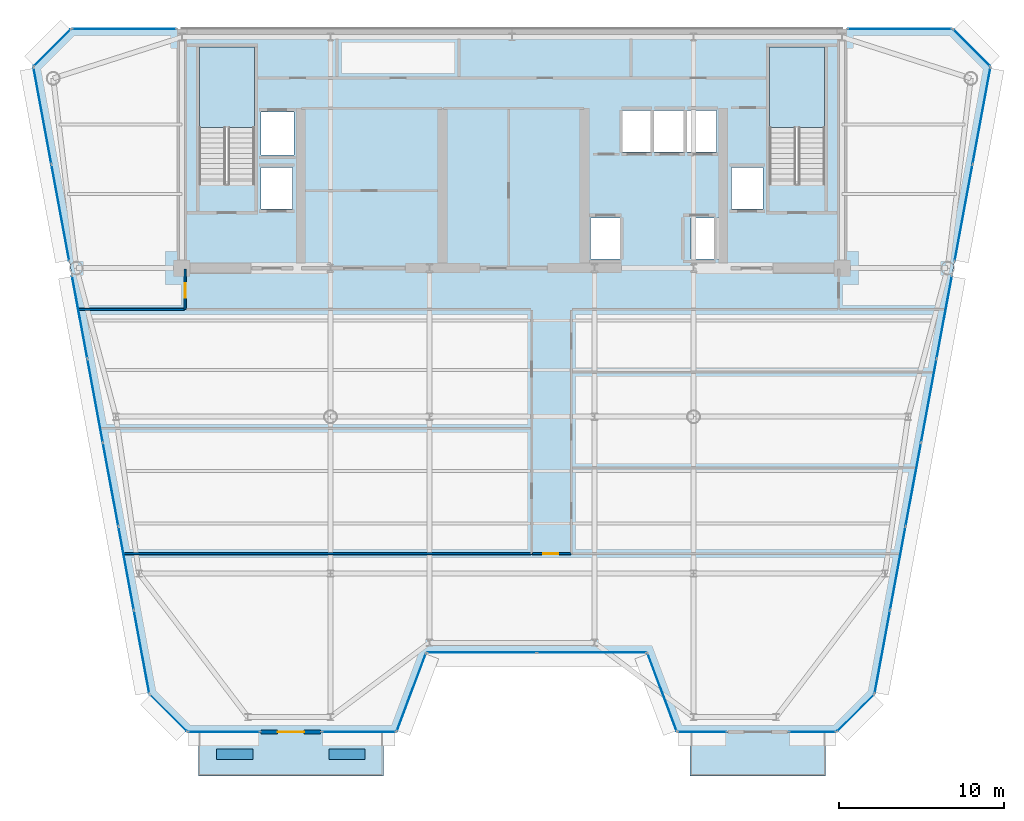
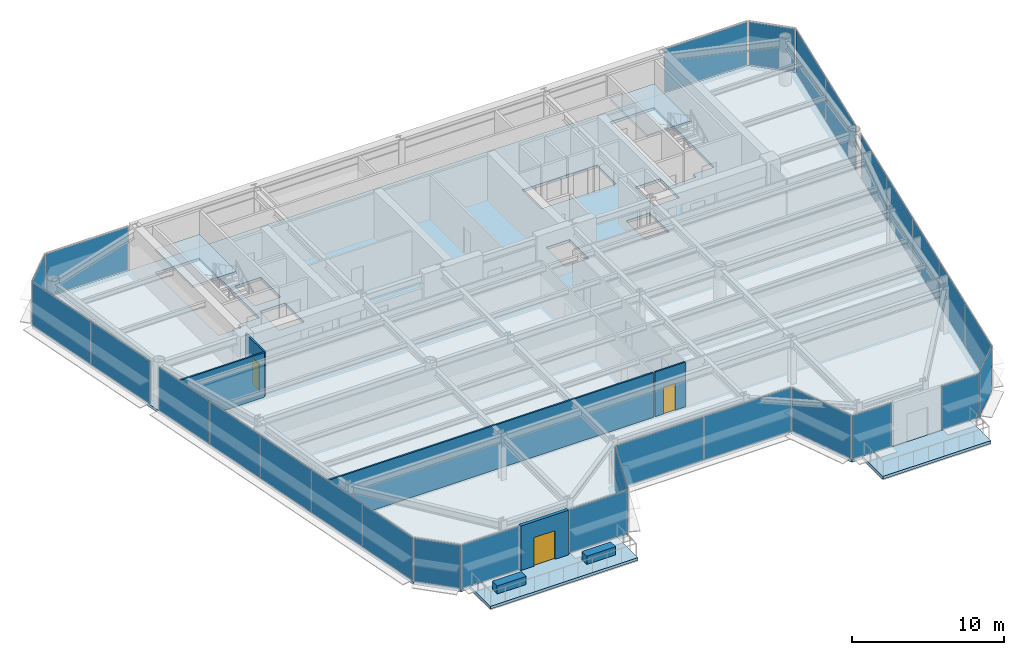
# One storey, part 9 of 16: 28 plates, 7 walls, 5 slabs, 3 doors, 3 openings, 19 elements without a shape of their own.
"""IFC4 building model written with IfcOpenShell, lengths in metres."""

from ifc_helpers import new_model, si_unit, direction, frame, frame_2d, origin, origin_2d, place, context, subcontext, project, spatial, polyline, rectangle, outline, extrude, source, transform, mapped, material, layer, layer_set, type_object, element, fill, aggregate, save


model = new_model("IFC4")

# Units and contexts
model_context = context("Model", 3, precision=1e-05, world=origin(), true_north=direction((0.0, 1.0)))
body_context = subcontext(model_context, "Body", "Model", "MODEL_VIEW")
ifc_project = project(units=[si_unit("LENGTHUNIT", "METRE"), si_unit("AREAUNIT", "SQUARE_METRE"), si_unit("VOLUMEUNIT", "CUBIC_METRE"), si_unit("PLANEANGLEUNIT", "RADIAN"), si_unit("MASSUNIT", "GRAM", prefix="KILO")], contexts=[model_context])

# Site, building, storey
site_placement = place(None, origin())
site = spatial("IfcSite", under=ifc_project, at=site_placement, CompositionType="ELEMENT")
building_placement = place(site_placement, origin())
building = spatial("IfcBuilding", under=site, at=building_placement, Name="Vaeldorn Concourse Tower", CompositionType="ELEMENT")
storey_placement = place(building_placement, frame((0.0, 0.0, 207.0)))
storey = spatial("IfcBuildingStorey", under=building, at=storey_placement, Name="L53", CompositionType="ELEMENT", Elevation=207.0)

# Slabs
ifc_material_1 = material(Name="Concrete C40/50", Category="concrete")
ifc_layer_1 = layer(ifc_material_1, 0.219970703125)
ifc_layer_set_1 = layer_set([ifc_layer_1], Name="Concrete C40/50")
slab_type_1 = type_object("IfcSlabType", Name="SL-SKYGARDEN", PredefinedType="FLOOR", material=ifc_layer_set_1)
slab_1_placement = place(storey_placement, frame((0.0, 0.0, -0.219970703125)))
element("IfcSlab", 1, at=slab_1_placement, inside=storey, type_object=slab_type_1, Name="Sky Lobby Upper Garden Terrace Slab 1", PredefinedType="FLOOR", context=body_context, shape_type="SweptSolid", body=[
    extrude(outline(polyline([(14.990966796875, 5.719970703125), (26.199951171875, 5.719970703125), (26.199951171875, 8.3798828125), (14.990966796875, 8.3798828125), (14.990966796875, 5.719970703125)])), origin(), (0.0, 0.0, 1.0), 0.219970703125),
])
slab_2_placement = place(storey_placement, frame((0.0, 0.0, -0.219970703125)))
element("IfcSlab", 2, at=slab_2_placement, inside=storey, type_object=slab_type_1, Name="Sky Lobby Upper Garden Terrace Slab 2", PredefinedType="FLOOR", context=body_context, shape_type="SweptSolid", body=[
    extrude(outline(polyline([(44.800048828125, 5.719970703125), (53.009033203125, 5.719970703125), (53.009033203125, 8.3798828125), (44.800048828125, 8.3798828125), (44.800048828125, 5.719970703125)])), origin(), (0.0, 0.0, 1.0), 0.219970703125),
])

# Stair, slab
ifc_material_2 = material(Name="Precast concrete C40/50", Category="concrete")
stair_type = type_object("IfcStairType", Name="STR-DOG-24x158", PredefinedType="HALF_TURN_STAIR", material=ifc_material_2)
stair_1_placement = place(storey_placement, origin())
stair_1 = element("IfcStair", 3, at=stair_1_placement, inside=storey, type_object=stair_type, Name="L53 West Core Exit Stair ST-1", PredefinedType="HALF_TURN_STAIR")
ifc_layer_2 = layer(ifc_material_1, 0.199951171875)
ifc_layer_set_2 = layer_set([ifc_layer_2], Name="Concrete C40/50")
slab_type_2 = type_object("IfcSlabType", Name="SL-STAIR-LANDING", PredefinedType="LANDING", material=ifc_layer_set_2)
slab_3_placement = place(storey_placement, frame((0.0, 0.0, 1.699951171875)))
slab_3 = element("IfcSlab", 4, at=slab_3_placement, type_object=slab_type_2, Name="ST-1 landing 1", PredefinedType="LANDING", context=body_context, shape_type="SweptSolid", body=[
    extrude(outline(polyline([(18.39990234375, 45.010009765625), (18.39990234375, 49.89990234375), (15.050048828125, 49.89990234375), (15.050048828125, 45.010009765625), (18.39990234375, 45.010009765625)])), origin(), (0.0, 0.0, 1.0), 0.199951171875),
])
aggregate(stair_1, [slab_3])

stair_2_placement = place(storey_placement, origin())
stair_2 = element("IfcStair", 5, at=stair_2_placement, inside=storey, type_object=stair_type, Name="L53 East Core Exit Stair ST-2", PredefinedType="HALF_TURN_STAIR")
slab_4_placement = place(storey_placement, frame((0.0, 0.0, 1.699951171875)))
slab_4 = element("IfcSlab", 6, at=slab_4_placement, type_object=slab_type_2, Name="ST-2 landing 1", PredefinedType="LANDING", context=body_context, shape_type="SweptSolid", body=[
    extrude(outline(polyline([(52.949951171875, 45.010009765625), (52.949951171875, 49.89990234375), (49.60009765625, 49.89990234375), (49.60009765625, 45.010009765625), (52.949951171875, 45.010009765625)])), origin(), (0.0, 0.0, 1.0), 0.199951171875),
])
aggregate(stair_2, [slab_4])

# Slab
ifc_layer_3 = layer(ifc_material_1, 0.219970703125)
ifc_layer_set_3 = layer_set([ifc_layer_3], Name="Concrete C40/50")
slab_type_3 = type_object("IfcSlabType", Name="SL-TYP-220", PredefinedType="FLOOR", material=ifc_layer_set_3)
slab_5_placement = place(storey_placement, frame((0.0, 0.0, -0.219970703125)))
element("IfcSlab", 7, at=slab_5_placement, inside=storey, type_object=slab_type_3, Name="Structural Floor Slab L53", PredefinedType="FLOOR", context=body_context, shape_type="SweptSolid", body=[
    extrude(outline(polyline([(14.3291015625, 8.39990234375), (27.0, 8.39990234375), (28.800048828125, 13.199951171875), (42.199951171875, 13.199951171875), (44.0, 8.39990234375), (53.6708984375, 8.39990234375), (55.970947265625, 10.699951171875), (63.0, 48.699951171875), (60.699951171875, 51.0), (7.300048828125, 51.0), (5.0, 48.699951171875), (12.029052734375, 10.699951171875), (14.3291015625, 8.39990234375)]), holes=[polyline([(18.39990234375, 42.0), (18.39990234375, 49.89990234375), (15.050048828125, 49.89990234375), (15.050048828125, 41.60009765625), (16.800048828125, 41.60009765625), (16.800048828125, 42.0), (18.39990234375, 42.0)]), polyline([(52.949951171875, 42.0), (52.949951171875, 49.89990234375), (49.60009765625, 49.89990234375), (49.60009765625, 41.60009765625), (51.35009765625, 41.60009765625), (51.35009765625, 42.0), (52.949951171875, 42.0)]), polyline([(38.75, 37.050048828125), (40.550048828125, 37.050048828125), (40.550048828125, 39.550048828125), (38.75, 39.550048828125), (38.75, 37.050048828125)]), polyline([(44.85009765625, 37.050048828125), (46.64990234375, 37.050048828125), (46.64990234375, 39.550048828125), (44.85009765625, 39.550048828125), (44.85009765625, 37.050048828125)]), polyline([(40.699951171875, 43.550048828125), (46.39990234375, 43.550048828125), (46.39990234375, 46.050048828125), (40.699951171875, 46.050048828125), (40.699951171875, 43.550048828125)]), polyline([(18.800048828125, 43.35009765625), (20.800048828125, 43.35009765625), (20.800048828125, 45.949951171875), (18.800048828125, 45.949951171875), (18.800048828125, 43.35009765625)]), polyline([(18.800048828125, 40.10009765625), (20.699951171875, 40.10009765625), (20.699951171875, 42.60009765625), (18.800048828125, 42.60009765625), (18.800048828125, 40.10009765625)]), polyline([(47.300048828125, 40.10009765625), (49.199951171875, 40.10009765625), (49.199951171875, 42.60009765625), (47.300048828125, 42.60009765625), (47.300048828125, 40.10009765625)])]), origin(), (0.0, 0.0, 1.0), 0.219970703125),
])

# Curtain wall, plate
ifc_material_3 = material(Name="Anodised Bronze Aluminium", Category="aluminium")
ifc_layer_4 = layer(ifc_material_3, 0.2099609375)
ifc_layer_set_4 = layer_set([ifc_layer_4], Name="Anodised Bronze Aluminium")
curtain_wall_type_1 = type_object("IfcCurtainWallType", Name="CW-SYS-06", PredefinedType="NOTDEFINED", material=ifc_layer_set_4)
curtain_wall_1_placement = place(storey_placement, origin())
curtain_wall_1 = element("IfcCurtainWall", 8, at=curtain_wall_1_placement, inside=storey, type_object=curtain_wall_type_1, Name="Unitised Curtain Wall CW-L53-E02-1", PredefinedType="NOTDEFINED")
ifc_material_4 = material(Name="Bronze Tinted Low-E Insulated Glass", Category="glass")
ifc_layer_5 = layer(ifc_material_4, 0.031982421875)
ifc_layer_set_5 = layer_set([ifc_layer_5], Name="Bronze Tinted Low-E Insulated Glass")
plate_type = type_object("IfcPlateType", Name="CWP-VISION-32", PredefinedType="CURTAIN_PANEL", material=ifc_layer_set_5)
shared_shape_1 = source(origin(), body_context, "Body", "SweptSolid", [
    extrude(rectangle(XDim=4.996337890625, YDim=0.031982421875, at=origin_2d()), origin(), (0.0, 0.0, 1.0), 3.449951171875),
])
plate_1_placement = place(storey_placement, frame((27.89990234375, 10.800048828125, 0.06494140625), z_axis=(0.0, 0.0, 1.0), x_axis=(0.351123441595, 0.936329177566, 0.0)))
plate_1 = element("IfcPlate", 9, at=plate_1_placement, type_object=plate_type, Name="CW-06 panel 1.1", PredefinedType="CURTAIN_PANEL", context=body_context, shape_type="MappedRepresentation", body=[
    mapped(shared_shape_1, transform((0.0, 0.0, 0.0), scale=1.0)),
])
aggregate(curtain_wall_1, [plate_1])

curtain_wall_2_placement = place(storey_placement, origin())
curtain_wall_2 = element("IfcCurtainWall", 10, at=curtain_wall_2_placement, inside=storey, type_object=curtain_wall_type_1, Name="Unitised Curtain Wall CW-L53-E04-1", PredefinedType="NOTDEFINED")
plate_2_placement = place(storey_placement, frame((43.10009765625, 10.800048828125, 0.06494140625), z_axis=(0.0, 0.0, 1.0), x_axis=(0.351123441595, -0.936329177566, 0.0)))
plate_2 = element("IfcPlate", 11, at=plate_2_placement, type_object=plate_type, Name="CW-06 panel 1.1", PredefinedType="CURTAIN_PANEL", context=body_context, shape_type="MappedRepresentation", body=[
    mapped(shared_shape_1, transform((0.0, 0.0, 0.0), scale=1.0)),
])
aggregate(curtain_wall_2, [plate_2])

# Curtain wall, plates
curtain_wall_3_placement = place(storey_placement, origin())
curtain_wall_3 = element("IfcCurtainWall", 12, at=curtain_wall_3_placement, inside=storey, type_object=curtain_wall_type_1, Name="Unitised Curtain Wall CW-L53-E03-1", PredefinedType="NOTDEFINED")
shared_shape_2 = source(origin(), body_context, "Body", "SweptSolid", [
    extrude(rectangle(XDim=6.6025390625, YDim=0.031982421875, at=origin_2d()), origin(), (0.0, 0.0, 1.0), 3.449951171875),
])
plate_3_placement = place(storey_placement, frame((32.166259765625, 13.199951171875, 0.06494140625), z_axis=(0.0, 0.0, 1.0), x_axis=(1.0, 0.0, 0.0)))
plate_3 = element("IfcPlate", 13, at=plate_3_placement, type_object=plate_type, Name="CW-06 panel 1.1", PredefinedType="CURTAIN_PANEL", context=body_context, shape_type="MappedRepresentation", body=[
    mapped(shared_shape_2, transform((0.0, 0.0, 0.0), scale=1.0)),
])
plate_4_placement = place(storey_placement, frame((38.833740234375, 13.199951171875, 0.06494140625), z_axis=(0.0, 0.0, 1.0), x_axis=(1.0, 0.0, 0.0)))
plate_4 = element("IfcPlate", 14, at=plate_4_placement, type_object=plate_type, Name="CW-06 panel 2.1", PredefinedType="CURTAIN_PANEL", context=body_context, shape_type="MappedRepresentation", body=[
    mapped(shared_shape_2, transform((0.0, 0.0, 0.0), scale=1.0)),
])
aggregate(curtain_wall_3, [plate_3, plate_4])

# Curtain wall, plate
curtain_wall_4_placement = place(storey_placement, origin())
curtain_wall_4 = element("IfcCurtainWall", 15, at=curtain_wall_4_placement, inside=storey, type_object=curtain_wall_type_1, Name="Unitised Curtain Wall CW-L53-E06-1", PredefinedType="NOTDEFINED")
shared_shape_3 = source(origin(), body_context, "Body", "SweptSolid", [
    extrude(rectangle(XDim=3.122802734375, YDim=0.031982421875, at=origin_2d()), origin(), (0.0, 0.0, 1.0), 3.449951171875),
])
plate_5_placement = place(storey_placement, frame((54.821044921875, 9.550048828125, 0.06494140625), z_axis=(0.0, 0.0, 1.0), x_axis=(0.707106781187, 0.707106781187, 0.0)))
plate_5 = element("IfcPlate", 16, at=plate_5_placement, type_object=plate_type, Name="CW-06 panel 1.1", PredefinedType="CURTAIN_PANEL", context=body_context, shape_type="MappedRepresentation", body=[
    mapped(shared_shape_3, transform((0.0, 0.0, 0.0), scale=1.0)),
])
aggregate(curtain_wall_4, [plate_5])

ifc_layer_6 = layer(ifc_material_3, 0.18994140625)
ifc_layer_set_6 = layer_set([ifc_layer_6], Name="Anodised Bronze Aluminium")
curtain_wall_type_2 = type_object("IfcCurtainWallType", Name="CW-SYS-03", PredefinedType="NOTDEFINED", material=ifc_layer_set_6)
curtain_wall_5_placement = place(storey_placement, origin())
curtain_wall_5 = element("IfcCurtainWall", 17, at=curtain_wall_5_placement, inside=storey, type_object=curtain_wall_type_2, Name="Unitised Curtain Wall CW-L53-E08-1", PredefinedType="NOTDEFINED")
plate_6_placement = place(storey_placement, frame((61.85009765625, 49.85009765625, 0.06494140625), z_axis=(0.0, 0.0, 1.0), x_axis=(-0.707106781187, 0.707106781187, 0.0)))
plate_6 = element("IfcPlate", 18, at=plate_6_placement, type_object=plate_type, Name="CW-03 panel 1.1", PredefinedType="CURTAIN_PANEL", context=body_context, shape_type="MappedRepresentation", body=[
    mapped(shared_shape_3, transform((0.0, 0.0, 0.0), scale=1.0)),
])
aggregate(curtain_wall_5, [plate_6])

curtain_wall_6_placement = place(storey_placement, origin())
curtain_wall_6 = element("IfcCurtainWall", 19, at=curtain_wall_6_placement, inside=storey, type_object=curtain_wall_type_2, Name="Unitised Curtain Wall CW-L53-E10-1", PredefinedType="NOTDEFINED")
plate_7_placement = place(storey_placement, frame((6.14990234375, 49.85009765625, 0.06494140625), z_axis=(0.0, 0.0, 1.0), x_axis=(-0.707106781187, -0.707106781187, 0.0)))
plate_7 = element("IfcPlate", 20, at=plate_7_placement, type_object=plate_type, Name="CW-03 panel 1.1", PredefinedType="CURTAIN_PANEL", context=body_context, shape_type="MappedRepresentation", body=[
    mapped(shared_shape_3, transform((0.0, 0.0, 0.0), scale=1.0)),
])
aggregate(curtain_wall_6, [plate_7])

curtain_wall_7_placement = place(storey_placement, origin())
curtain_wall_7 = element("IfcCurtainWall", 21, at=curtain_wall_7_placement, inside=storey, type_object=curtain_wall_type_1, Name="Unitised Curtain Wall CW-L53-E12-1", PredefinedType="NOTDEFINED")
plate_8_placement = place(storey_placement, frame((13.178955078125, 9.550048828125, 0.06494140625), z_axis=(0.0, 0.0, 1.0), x_axis=(0.707106781187, -0.707106781187, 0.0)))
plate_8 = element("IfcPlate", 22, at=plate_8_placement, type_object=plate_type, Name="CW-06 panel 1.1", PredefinedType="CURTAIN_PANEL", context=body_context, shape_type="MappedRepresentation", body=[
    mapped(shared_shape_3, transform((0.0, 0.0, 0.0), scale=1.0)),
])
aggregate(curtain_wall_7, [plate_8])

curtain_wall_8_placement = place(storey_placement, origin())
curtain_wall_8 = element("IfcCurtainWall", 23, at=curtain_wall_8_placement, inside=storey, type_object=curtain_wall_type_2, Name="Unitised Curtain Wall CW-L53-E09-1", PredefinedType="NOTDEFINED")
shared_shape_4 = source(origin(), body_context, "Body", "SweptSolid", [
    extrude(rectangle(XDim=6.27490234375, YDim=0.031982421875, at=origin_2d()), origin(), (0.0, 0.0, 1.0), 3.449951171875),
])
plate_9_placement = place(storey_placement, frame((57.49755859375, 51.0, 0.06494140625), z_axis=(0.0, 0.0, 1.0), x_axis=(-1.0, 0.0, 0.0)))
plate_9 = element("IfcPlate", 24, at=plate_9_placement, type_object=plate_type, Name="CW-03 panel 1.1", PredefinedType="CURTAIN_PANEL", context=body_context, shape_type="MappedRepresentation", body=[
    mapped(shared_shape_4, transform((0.0, 0.0, 0.0), scale=1.0)),
])
aggregate(curtain_wall_8, [plate_9])

curtain_wall_9_placement = place(storey_placement, origin())
curtain_wall_9 = element("IfcCurtainWall", 25, at=curtain_wall_9_placement, inside=storey, type_object=curtain_wall_type_2, Name="Unitised Curtain Wall CW-L53-E09-2", PredefinedType="NOTDEFINED")
plate_10_placement = place(storey_placement, frame((10.50244140625, 51.0, 0.06494140625), z_axis=(0.0, 0.0, 1.0), x_axis=(-1.0, 0.0, 0.0)))
plate_10 = element("IfcPlate", 26, at=plate_10_placement, type_object=plate_type, Name="CW-03 panel 1.1", PredefinedType="CURTAIN_PANEL", context=body_context, shape_type="MappedRepresentation", body=[
    mapped(shared_shape_4, transform((0.0, 0.0, 0.0), scale=1.0)),
])
aggregate(curtain_wall_9, [plate_10])

curtain_wall_10_placement = place(storey_placement, origin())
curtain_wall_10 = element("IfcCurtainWall", 27, at=curtain_wall_10_placement, inside=storey, type_object=curtain_wall_type_1, Name="Unitised Curtain Wall CW-L53-E01-1", PredefinedType="NOTDEFINED")
shared_shape_5 = source(origin(), body_context, "Body", "SweptSolid", [
    extrude(rectangle(XDim=4.301025390625, YDim=0.031982421875, at=origin_2d()), origin(), (0.0, 0.0, 1.0), 3.449951171875),
])
plate_11_placement = place(storey_placement, frame((16.54443359375, 8.39990234375, 0.06494140625), z_axis=(0.0, 0.0, 1.0), x_axis=(1.0, 0.0, 0.0)))
plate_11 = element("IfcPlate", 28, at=plate_11_placement, type_object=plate_type, Name="CW-06 panel 1.1", PredefinedType="CURTAIN_PANEL", context=body_context, shape_type="MappedRepresentation", body=[
    mapped(shared_shape_5, transform((0.0, 0.0, 0.0), scale=1.0)),
])
aggregate(curtain_wall_10, [plate_11])

curtain_wall_11_placement = place(storey_placement, origin())
curtain_wall_11 = element("IfcCurtainWall", 29, at=curtain_wall_11_placement, inside=storey, type_object=curtain_wall_type_1, Name="Unitised Curtain Wall CW-L53-E01-2", PredefinedType="NOTDEFINED")
shared_shape_6 = source(origin(), body_context, "Body", "SweptSolid", [
    extrude(rectangle(XDim=4.429931640625, YDim=0.031982421875, at=origin_2d()), origin(), (0.0, 0.0, 1.0), 3.449951171875),
])
plate_12_placement = place(storey_placement, frame((24.719970703125, 8.39990234375, 0.06494140625), z_axis=(0.0, 0.0, 1.0), x_axis=(1.0, 0.0, 0.0)))
plate_12 = element("IfcPlate", 30, at=plate_12_placement, type_object=plate_type, Name="CW-06 panel 1.1", PredefinedType="CURTAIN_PANEL", context=body_context, shape_type="MappedRepresentation", body=[
    mapped(shared_shape_6, transform((0.0, 0.0, 0.0), scale=1.0)),
])
aggregate(curtain_wall_11, [plate_12])

curtain_wall_12_placement = place(storey_placement, origin())
curtain_wall_12 = element("IfcCurtainWall", 31, at=curtain_wall_12_placement, inside=storey, type_object=curtain_wall_type_1, Name="Unitised Curtain Wall CW-L53-E05-1", PredefinedType="NOTDEFINED")
shared_shape_7 = source(origin(), body_context, "Body", "SweptSolid", [
    extrude(rectangle(XDim=2.929931640625, YDim=0.031982421875, at=origin_2d()), origin(), (0.0, 0.0, 1.0), 3.449951171875),
])
plate_13_placement = place(storey_placement, frame((45.530029296875, 8.39990234375, 0.06494140625), z_axis=(0.0, 0.0, 1.0), x_axis=(1.0, 0.0, 0.0)))
plate_13 = element("IfcPlate", 32, at=plate_13_placement, type_object=plate_type, Name="CW-06 panel 1.1", PredefinedType="CURTAIN_PANEL", context=body_context, shape_type="MappedRepresentation", body=[
    mapped(shared_shape_7, transform((0.0, 0.0, 0.0), scale=1.0)),
])
aggregate(curtain_wall_12, [plate_13])

curtain_wall_13_placement = place(storey_placement, origin())
curtain_wall_13 = element("IfcCurtainWall", 33, at=curtain_wall_13_placement, inside=storey, type_object=curtain_wall_type_1, Name="Unitised Curtain Wall CW-L53-E05-2", PredefinedType="NOTDEFINED")
shared_shape_8 = source(origin(), body_context, "Body", "SweptSolid", [
    extrude(rectangle(XDim=2.801025390625, YDim=0.031982421875, at=origin_2d()), origin(), (0.0, 0.0, 1.0), 3.449951171875),
])
plate_14_placement = place(storey_placement, frame((52.20556640625, 8.39990234375, 0.06494140625), z_axis=(0.0, 0.0, 1.0), x_axis=(1.0, 0.0, 0.0)))
plate_14 = element("IfcPlate", 34, at=plate_14_placement, type_object=plate_type, Name="CW-06 panel 1.1", PredefinedType="CURTAIN_PANEL", context=body_context, shape_type="MappedRepresentation", body=[
    mapped(shared_shape_8, transform((0.0, 0.0, 0.0), scale=1.0)),
])
aggregate(curtain_wall_13, [plate_14])

# Curtain wall, plates
curtain_wall_14_placement = place(storey_placement, origin())
curtain_wall_14 = element("IfcCurtainWall", 35, at=curtain_wall_14_placement, inside=storey, type_object=curtain_wall_type_1, Name="Unitised Curtain Wall CW-L53-E07-1", PredefinedType="NOTDEFINED")
shared_shape_9 = source(origin(), body_context, "Body", "SweptSolid", [
    extrude(rectangle(XDim=5.0654296875, YDim=0.031982421875, at=origin_2d()), origin(), (0.0, 0.0, 1.0), 3.449951171875),
])
plate_15_placement = place(storey_placement, frame((56.443603515625, 13.25439453125, 0.06494140625), z_axis=(0.0, 0.0, 1.0), x_axis=(0.181888946432, 0.983319079021, 0.0)))
plate_15 = element("IfcPlate", 36, at=plate_15_placement, type_object=plate_type, Name="CW-06 panel 1.1", PredefinedType="CURTAIN_PANEL", context=body_context, shape_type="MappedRepresentation", body=[
    mapped(shared_shape_9, transform((0.0, 0.0, 0.0), scale=1.0)),
])
plate_16_placement = place(storey_placement, frame((60.19384765625, 33.529052734375, 0.06494140625), z_axis=(0.0, 0.0, 1.0), x_axis=(0.181888946432, 0.983319079021, 0.0)))
plate_16 = element("IfcPlate", 37, at=plate_16_placement, type_object=plate_type, Name="CW-06 panel 5.1", PredefinedType="CURTAIN_PANEL", context=body_context, shape_type="MappedRepresentation", body=[
    mapped(shared_shape_9, transform((0.0, 0.0, 0.0), scale=1.0)),
])

curtain_wall_15_placement = place(storey_placement, origin())
curtain_wall_15 = element("IfcCurtainWall", 38, at=curtain_wall_15_placement, inside=storey, type_object=curtain_wall_type_1, Name="Unitised Curtain Wall CW-L53-E11-2", PredefinedType="NOTDEFINED")
plate_17_placement = place(storey_placement, frame((7.80615234375, 33.529052734375, 0.06494140625), z_axis=(0.0, 0.0, 1.0), x_axis=(0.181888946432, -0.983319079021, 0.0)))
plate_17 = element("IfcPlate", 39, at=plate_17_placement, type_object=plate_type, Name="CW-06 panel 1.1", PredefinedType="CURTAIN_PANEL", context=body_context, shape_type="MappedRepresentation", body=[
    mapped(shared_shape_9, transform((0.0, 0.0, 0.0), scale=1.0)),
])
plate_18_placement = place(storey_placement, frame((11.556396484375, 13.25439453125, 0.06494140625), z_axis=(0.0, 0.0, 1.0), x_axis=(0.181888946432, -0.983319079021, 0.0)))
plate_18 = element("IfcPlate", 40, at=plate_18_placement, type_object=plate_type, Name="CW-06 panel 5.1", PredefinedType="CURTAIN_PANEL", context=body_context, shape_type="MappedRepresentation", body=[
    mapped(shared_shape_9, transform((0.0, 0.0, 0.0), scale=1.0)),
])

# Plate
shared_shape_10 = source(origin(), body_context, "Body", "SweptSolid", [
    extrude(rectangle(XDim=5.097900390625, YDim=0.031982421875, at=origin_2d()), origin(), (0.0, 0.0, 1.0), 3.449951171875),
])
plate_19_placement = place(storey_placement, frame((57.379638671875, 18.31494140625, 0.06494140625), z_axis=(0.0, 0.0, 1.0), x_axis=(0.181888946432, 0.983319079021, 0.0)))
plate_19 = element("IfcPlate", 41, at=plate_19_placement, type_object=plate_type, Name="CW-06 panel 2.1", PredefinedType="CURTAIN_PANEL", context=body_context, shape_type="MappedRepresentation", body=[
    mapped(shared_shape_10, transform((0.0, 0.0, 0.0), scale=1.0)),
])

plate_20_placement = place(storey_placement, frame((58.318603515625, 23.391845703125, 0.06494140625), z_axis=(0.0, 0.0, 1.0), x_axis=(0.181888946432, 0.983319079021, 0.0)))
plate_20 = element("IfcPlate", 42, at=plate_20_placement, type_object=plate_type, Name="CW-06 panel 3.1", PredefinedType="CURTAIN_PANEL", context=body_context, shape_type="MappedRepresentation", body=[
    mapped(shared_shape_10, transform((0.0, 0.0, 0.0), scale=1.0)),
])

plate_21_placement = place(storey_placement, frame((59.2578125, 28.468505859375, 0.06494140625), z_axis=(0.0, 0.0, 1.0), x_axis=(0.181888946432, 0.983319079021, 0.0)))
plate_21 = element("IfcPlate", 43, at=plate_21_placement, type_object=plate_type, Name="CW-06 panel 4.1", PredefinedType="CURTAIN_PANEL", context=body_context, shape_type="MappedRepresentation", body=[
    mapped(shared_shape_10, transform((0.0, 0.0, 0.0), scale=1.0)),
])

aggregate(curtain_wall_14, [plate_15, plate_19, plate_20, plate_21, plate_16])

plate_22_placement = place(storey_placement, frame((8.7421875, 28.468505859375, 0.06494140625), z_axis=(0.0, 0.0, 1.0), x_axis=(0.181888946432, -0.983319079021, 0.0)))
plate_22 = element("IfcPlate", 44, at=plate_22_placement, type_object=plate_type, Name="CW-06 panel 2.1", PredefinedType="CURTAIN_PANEL", context=body_context, shape_type="MappedRepresentation", body=[
    mapped(shared_shape_10, transform((0.0, 0.0, 0.0), scale=1.0)),
])

plate_23_placement = place(storey_placement, frame((9.681396484375, 23.391845703125, 0.06494140625), z_axis=(0.0, 0.0, 1.0), x_axis=(0.181888946432, -0.983319079021, 0.0)))
plate_23 = element("IfcPlate", 45, at=plate_23_placement, type_object=plate_type, Name="CW-06 panel 3.1", PredefinedType="CURTAIN_PANEL", context=body_context, shape_type="MappedRepresentation", body=[
    mapped(shared_shape_10, transform((0.0, 0.0, 0.0), scale=1.0)),
])

plate_24_placement = place(storey_placement, frame((10.620361328125, 18.31494140625, 0.06494140625), z_axis=(0.0, 0.0, 1.0), x_axis=(0.181888946432, -0.983319079021, 0.0)))
plate_24 = element("IfcPlate", 46, at=plate_24_placement, type_object=plate_type, Name="CW-06 panel 4.1", PredefinedType="CURTAIN_PANEL", context=body_context, shape_type="MappedRepresentation", body=[
    mapped(shared_shape_10, transform((0.0, 0.0, 0.0), scale=1.0)),
])

aggregate(curtain_wall_15, [plate_17, plate_22, plate_23, plate_24, plate_18])

# Curtain wall, plates
curtain_wall_16_placement = place(storey_placement, origin())
curtain_wall_16 = element("IfcCurtainWall", 47, at=curtain_wall_16_placement, inside=storey, type_object=curtain_wall_type_1, Name="Unitised Curtain Wall CW-L53-E07-2", PredefinedType="NOTDEFINED")
shared_shape_11 = source(origin(), body_context, "Body", "SweptSolid", [
    extrude(rectangle(XDim=5.90478515625, YDim=0.031982421875, at=origin_2d()), origin(), (0.0, 0.0, 1.0), 3.449951171875),
])
plate_25_placement = place(storey_placement, frame((61.365234375, 39.86279296875, 0.06494140625), z_axis=(0.0, 0.0, 1.0), x_axis=(0.181887908602, 0.983319270992, 0.0)))
plate_25 = element("IfcPlate", 48, at=plate_25_placement, type_object=plate_type, Name="CW-06 panel 1.1", PredefinedType="CURTAIN_PANEL", context=body_context, shape_type="MappedRepresentation", body=[
    mapped(shared_shape_11, transform((0.0, 0.0, 0.0), scale=1.0)),
])
plate_26_placement = place(storey_placement, frame((62.451171875, 45.73291015625, 0.06494140625), z_axis=(0.0, 0.0, 1.0), x_axis=(0.181887908602, 0.983319270992, 0.0)))
plate_26 = element("IfcPlate", 49, at=plate_26_placement, type_object=plate_type, Name="CW-06 panel 2.1", PredefinedType="CURTAIN_PANEL", context=body_context, shape_type="MappedRepresentation", body=[
    mapped(shared_shape_11, transform((0.0, 0.0, 0.0), scale=1.0)),
])
aggregate(curtain_wall_16, [plate_25, plate_26])

curtain_wall_17_placement = place(storey_placement, origin())
curtain_wall_17 = element("IfcCurtainWall", 50, at=curtain_wall_17_placement, inside=storey, type_object=curtain_wall_type_1, Name="Unitised Curtain Wall CW-L53-E11-1", PredefinedType="NOTDEFINED")
plate_27_placement = place(storey_placement, frame((5.548828125, 45.73291015625, 0.06494140625), z_axis=(0.0, 0.0, 1.0), x_axis=(0.181887908602, -0.983319270992, 0.0)))
plate_27 = element("IfcPlate", 51, at=plate_27_placement, type_object=plate_type, Name="CW-06 panel 1.1", PredefinedType="CURTAIN_PANEL", context=body_context, shape_type="MappedRepresentation", body=[
    mapped(shared_shape_11, transform((0.0, 0.0, 0.0), scale=1.0)),
])
plate_28_placement = place(storey_placement, frame((6.634765625, 39.86279296875, 0.06494140625), z_axis=(0.0, 0.0, 1.0), x_axis=(0.181887908602, -0.983319270992, 0.0)))
plate_28 = element("IfcPlate", 52, at=plate_28_placement, type_object=plate_type, Name="CW-06 panel 2.1", PredefinedType="CURTAIN_PANEL", context=body_context, shape_type="MappedRepresentation", body=[
    mapped(shared_shape_11, transform((0.0, 0.0, 0.0), scale=1.0)),
])
aggregate(curtain_wall_17, [plate_27, plate_28])

# Wall, opening, door
ifc_layer_7 = layer(ifc_material_2, 0.25)
ifc_layer_set_7 = layer_set([ifc_layer_7], Name="Precast concrete C40/50")
wall_type_1 = type_object("IfcWallType", Name="WL-EXT-TERRACE-250", PredefinedType="STANDARD", material=ifc_layer_set_7)
wall_1_placement = place(storey_placement, frame((22.39990234375, 8.39990234375, 0.0), z_axis=(0.0, 0.0, 1.0), x_axis=(-1.0, 0.0, 0.0)))
wall_1 = element("IfcWall", 53, at=wall_1_placement, inside=storey, type_object=wall_type_1, Name="Sawtooth Sky Garden Portal Wall L53-1", PredefinedType="STANDARD", context=body_context, shape_type="SweptSolid", body=[
    extrude(rectangle(XDim=3.599853515625, YDim=0.25, at=frame_2d((1.7998046875, 0.0))), origin(), (0.0, 0.0, 1.0), 3.580078125),
])
opening_1_placement = place(wall_1_placement, frame((1.0, 0.0, 0.0)))
opening_1 = element("IfcOpeningElement", 54, at=opening_1_placement, cuts=wall_1, Name="Opening DG-1", PredefinedType="OPENING", context=body_context, shape_type="SweptSolid", body=[
    extrude(rectangle(XDim=1.60009765625, YDim=2.300048828125, at=frame_2d((0.800048828125, 1.14990234375))), frame((0.0, 0.135009765625, 0.0), z_axis=(0.0, -1.0, 0.0), x_axis=(1.0, 0.0, 0.0)), (0.0, 0.0, 1.0), 0.27001953125),
])
door_type_1 = type_object("IfcDoorType", Name="DR-EXTERNAL-1600", OperationType="DOUBLE_DOOR_SINGLE_SWING", PredefinedType="DOOR", material=ifc_material_3)
shared_shape_12 = source(origin(), body_context, "Body", "SweptSolid", [
    extrude(rectangle(XDim=1.60009765625, YDim=2.300048828125, at=frame_2d((0.800048828125, 1.14990234375))), frame((0.0, 0.02490234375, 0.0), z_axis=(0.0, -1.0, 0.0), x_axis=(1.0, 0.0, 0.0)), (0.0, 0.0, 1.0), 0.050048828125),
])
door_1_placement = place(opening_1_placement, origin())
door_1 = element("IfcDoor", 55, at=door_1_placement, inside=storey, type_object=door_type_1, Name="Sawtooth Sky Garden Terrace Door L53-1", OperationType="DOUBLE_DOOR_SINGLE_SWING", OverallHeight=2.300048828125, OverallWidth=1.60009765625, PredefinedType="DOOR", context=body_context, shape_type="MappedRepresentation", body=[
    mapped(shared_shape_12, transform((0.0, 0.0, 0.0), scale=1.0)),
])
fill(opening_1, door_1)

ifc_material_5 = material(Name="Gypsum Board Partition", Category="gypsum")
ifc_layer_8 = layer(ifc_material_5, 0.1201171875)
ifc_layer_set_8 = layer_set([ifc_layer_8], Name="Gypsum Board Partition")
wall_type_2 = type_object("IfcWallType", Name="WL-PART-120", PredefinedType="PARTITIONING", material=ifc_layer_set_8)
wall_2_placement = place(storey_placement, frame((14.199951171875, 34.0, 0.0), z_axis=(0.0, 0.0, 1.0), x_axis=(0.0, 1.0, 0.0)))
wall_2 = element("IfcWall", 56, at=wall_2_placement, inside=storey, type_object=wall_type_2, Name="Interior Wall PW-L53-C3W", PredefinedType="PARTITIONING", context=body_context, shape_type="SweptSolid", body=[
    extrude(rectangle(XDim=2.43994140625, YDim=0.1201171875, at=frame_2d((1.219970703125, 0.0))), origin(), (0.0, 0.0, 1.0), 3.580078125),
])
opening_2_placement = place(wall_2_placement, frame((0.699951171875, 0.0, 0.0)))
opening_2 = element("IfcOpeningElement", 57, at=opening_2_placement, cuts=wall_2, Name="Opening D-03", PredefinedType="OPENING", context=body_context, shape_type="SweptSolid", body=[
    extrude(rectangle(XDim=0.89990234375, YDim=2.14990234375, at=frame_2d((0.449951171875, 1.074951171875))), frame((0.0, 0.070068359375, 0.0), z_axis=(0.0, -1.0, 0.0), x_axis=(1.0, 0.0, 0.0)), (0.0, 0.0, 1.0), 0.14013671875),
])
ifc_material_6 = material(Name="Acoustic Bronze-Framed Glass Door", Category="glass")
door_type_2 = type_object("IfcDoorType", Name="DR-INT-900", OperationType="NOTDEFINED", PredefinedType="DOOR", material=ifc_material_6)
shared_shape_13 = source(origin(), body_context, "Body", "SweptSolid", [
    extrude(rectangle(XDim=0.89990234375, YDim=2.14990234375, at=frame_2d((0.449951171875, 1.074951171875))), frame((0.0, 0.02490234375, 0.0), z_axis=(0.0, -1.0, 0.0), x_axis=(1.0, 0.0, 0.0)), (0.0, 0.0, 1.0), 0.050048828125),
])
door_2_placement = place(opening_2_placement, origin())
door_2 = element("IfcDoor", 58, at=door_2_placement, inside=storey, type_object=door_type_2, Name="Interior Door DR-L53-Z3NW", OperationType="SINGLE_SWING_LEFT", OverallHeight=2.14990234375, OverallWidth=0.89990234375, PredefinedType="DOOR", context=body_context, shape_type="MappedRepresentation", body=[
    mapped(shared_shape_13, transform((0.0, 0.0, 0.0), scale=1.0)),
])
fill(opening_2, door_2)

wall_3_placement = place(storey_placement, frame((35.239990234375, 19.199951171875, 0.0), z_axis=(0.0, 0.0, 1.0), x_axis=(1.0, 0.0, 0.0)))
wall_3 = element("IfcWall", 59, at=wall_3_placement, inside=storey, type_object=wall_type_2, Name="Interior Wall PW-L53-CSPS", PredefinedType="PARTITIONING", context=body_context, shape_type="SweptSolid", body=[
    extrude(rectangle(XDim=2.320068359375, YDim=0.1201171875, at=frame_2d((1.16015625, 0.0))), origin(), (0.0, 0.0, 1.0), 3.580078125),
])
opening_3_placement = place(wall_3_placement, frame((0.64990234375, 0.0, 0.0)))
opening_3 = element("IfcOpeningElement", 60, at=opening_3_placement, cuts=wall_3, Name="Opening D-03", PredefinedType="OPENING", context=body_context, shape_type="SweptSolid", body=[
    extrude(rectangle(XDim=0.89990234375, YDim=2.14990234375, at=frame_2d((0.449951171875, 1.074951171875))), frame((0.0, 0.070068359375, 0.0), z_axis=(0.0, -1.0, 0.0), x_axis=(1.0, 0.0, 0.0)), (0.0, 0.0, 1.0), 0.14013671875),
])
door_3_placement = place(opening_3_placement, origin())
door_3 = element("IfcDoor", 61, at=door_3_placement, inside=storey, type_object=door_type_2, Name="Interior Door DR-L53-Z3SM", OperationType="SINGLE_SWING_LEFT", OverallHeight=2.14990234375, OverallWidth=0.89990234375, PredefinedType="DOOR", context=body_context, shape_type="MappedRepresentation", body=[
    mapped(shared_shape_13, transform((0.0, 0.0, 0.0), scale=1.0)),
])
fill(opening_3, door_3)

# Walls
wall_4_placement = place(storey_placement, frame((7.759033203125, 34.0, 0.0), z_axis=(0.0, 0.0, 1.0), x_axis=(1.0, 0.0, 0.0)))
element("IfcWall", 62, at=wall_4_placement, inside=storey, type_object=wall_type_2, Name="Interior Wall PW-L53-Z3NWB", PredefinedType="PARTITIONING", context=body_context, shape_type="SweptSolid", body=[
    extrude(rectangle(XDim=6.380859375, YDim=0.1201171875, at=frame_2d((3.1904296875, 0.0))), origin(), (0.0, 0.0, 1.0), 3.580078125),
])
wall_5_placement = place(storey_placement, frame((10.49658203125, 19.199951171875, 0.0), z_axis=(0.0, 0.0, 1.0), x_axis=(1.0, 0.0, 0.0)))
element("IfcWall", 63, at=wall_5_placement, inside=storey, type_object=wall_type_2, Name="Interior Wall PW-L53-Z3SWL", PredefinedType="PARTITIONING", context=body_context, shape_type="SweptSolid", body=[
    extrude(rectangle(XDim=24.643310546875, YDim=0.1201171875, at=frame_2d((12.32177734375, 0.0))), origin(), (0.0, 0.0, 1.0), 3.580078125),
])
ifc_layer_9 = layer(ifc_material_3, 0.64990234375)
ifc_layer_set_9 = layer_set([ifc_layer_9], Name="Anodised Bronze Aluminium")
wall_type_3 = type_object("IfcWallType", Name="WL-PLANTER-BRONZE", PredefinedType="PARAPET", material=ifc_layer_set_9)
wall_6_placement = place(storey_placement, frame((16.10009765625, 7.050048828125, 0.0), z_axis=(0.0, 0.0, 1.0), x_axis=(1.0, 0.0, 0.0)))
element("IfcWall", 64, at=wall_6_placement, inside=storey, type_object=wall_type_3, Name="Sky Garden Bronze Planter Box L53-1", PredefinedType="PARAPET", context=body_context, shape_type="SweptSolid", body=[
    extrude(rectangle(XDim=2.199951171875, YDim=0.64990234375, at=frame_2d((1.10009765625, 0.0))), origin(), (0.0, 0.0, 1.0), 0.64990234375),
])
wall_7_placement = place(storey_placement, frame((22.89990234375, 7.050048828125, 0.0), z_axis=(0.0, 0.0, 1.0), x_axis=(1.0, 0.0, 0.0)))
element("IfcWall", 65, at=wall_7_placement, inside=storey, type_object=wall_type_3, Name="Sky Garden Bronze Planter Box L53-1", PredefinedType="PARAPET", context=body_context, shape_type="SweptSolid", body=[
    extrude(rectangle(XDim=2.2001953125, YDim=0.64990234375, at=frame_2d((1.10009765625, 0.0))), origin(), (0.0, 0.0, 1.0), 0.64990234375),
])

save(model, "model.ifc")
